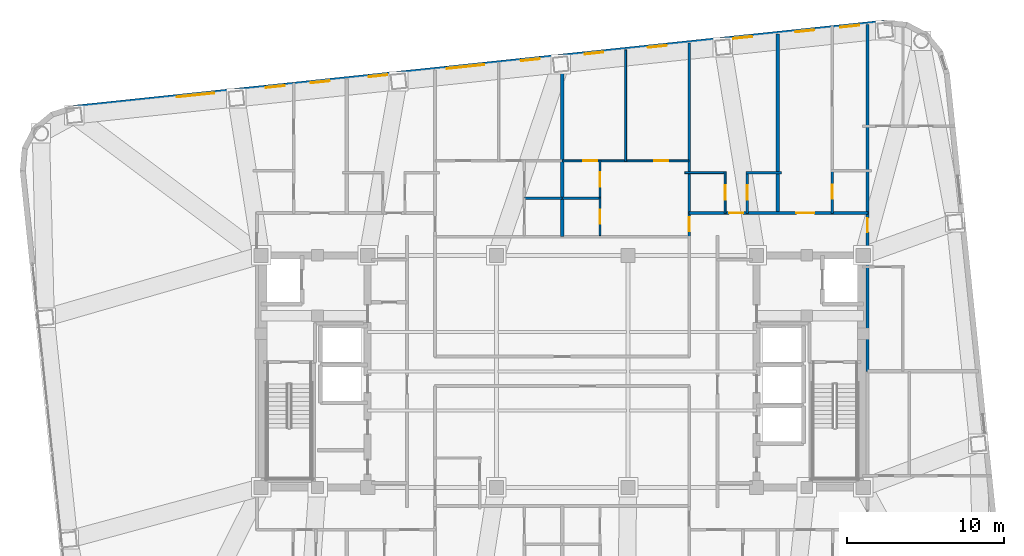
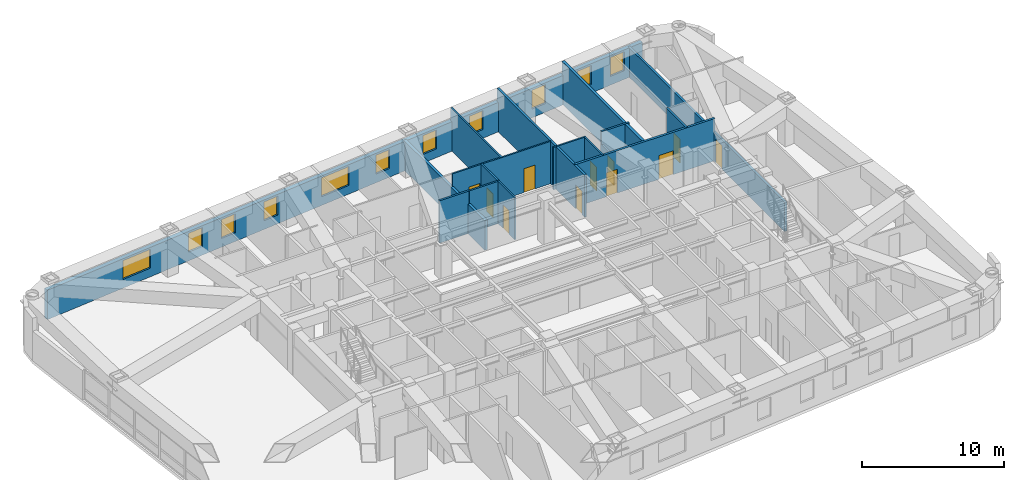
# One storey, part 11 of 14: 17 walls, 11 doors, 11 windows, 22 openings.
"""IFC4 building model written with IfcOpenShell, lengths in metres."""

from ifc_helpers import new_model, si_unit, direction, frame, frame_2d, origin, place, context, subcontext, project, spatial, rectangle, extrude, material, layer, layer_set, type_object, element, fill, save


model = new_model("IFC4")

# Units and contexts
model_context = context("Model", 3, precision=1e-05, world=origin(), true_north=direction((0.0, 1.0)))
body_context = subcontext(model_context, "Body", "Model", "MODEL_VIEW")
ifc_project = project(units=[si_unit("LENGTHUNIT", "METRE"), si_unit("AREAUNIT", "SQUARE_METRE"), si_unit("VOLUMEUNIT", "CUBIC_METRE"), si_unit("PLANEANGLEUNIT", "RADIAN"), si_unit("MASSUNIT", "GRAM", prefix="KILO")], contexts=[model_context])

# Site, building, storey
site_placement = place(None, origin())
site = spatial("IfcSite", under=ifc_project, at=site_placement, CompositionType="ELEMENT")
building_placement = place(site_placement, origin())
building = spatial("IfcBuilding", under=site, at=building_placement, Name="Voryun Gate Residences", CompositionType="ELEMENT")
storey_placement = place(building_placement, frame((0.0, 0.0, 144.300048828125)))
storey = spatial("IfcBuildingStorey", under=building, at=storey_placement, Name="L35", CompositionType="ELEMENT", Elevation=144.300048828125)

# Wall, openings, doors
ifc_material_1 = material(Name="Gypsum acoustic fireboard")
ifc_layer_1 = layer(ifc_material_1, 0.179931640625, Name="W_CORR_RATED_180")
ifc_layer_set_1 = layer_set([ifc_layer_1], Name="Gypsum acoustic fireboard")
wall_type_1 = type_object("IfcWallType", Name="W_CORR_RATED_180", PredefinedType="PARTITIONING", material=ifc_layer_set_1)
wall_1_placement = place(storey_placement, frame((8.080078125, 10.10009765625, 0.0), z_axis=(0.0, 0.0, 1.0), x_axis=(1.0, 0.0, 0.0)))
wall_1 = element("IfcWall", 1, at=wall_1_placement, inside=storey, type_object=wall_type_1, Name="Partition wall WP-L35-NCORR-E", PredefinedType="PARTITIONING", context=body_context, shape_type="SweptSolid", body=[
    extrude(rectangle(XDim=11.419921875, YDim=0.179931640625, at=frame_2d((5.7099609375, 0.0))), origin(), (0.0, 0.0, 1.0), 3.64990234375),
])
opening_1_placement = place(wall_1_placement, frame((2.5625, 0.0, 0.0)))
opening_1 = element("IfcOpeningElement", 2, at=opening_1_placement, cuts=wall_1, Name="Opening D-INT-2", PredefinedType="OPENING", context=body_context, shape_type="SweptSolid", body=[
    extrude(rectangle(XDim=0.89990234375, YDim=2.050048828125, at=frame_2d((0.449951171875, 1.02490234375))), frame((0.0, 0.099853515625, 0.0), z_axis=(0.0, -1.0, 0.0), x_axis=(1.0, 0.0, 0.0)), (0.0, 0.0, 1.0), 0.199951171875),
])
opening_2_placement = place(wall_1_placement, frame((6.8525390625, 0.0, 0.0)))
opening_2 = element("IfcOpeningElement", 3, at=opening_2_placement, cuts=wall_1, Name="Opening D-UNIT-1", PredefinedType="OPENING", context=body_context, shape_type="SweptSolid", body=[
    extrude(rectangle(XDim=1.14990234375, YDim=2.050048828125, at=frame_2d((0.574951171875, 1.02490234375))), frame((0.0, 0.099853515625, 0.0), z_axis=(0.0, -1.0, 0.0), x_axis=(1.0, 0.0, 0.0)), (0.0, 0.0, 1.0), 0.199951171875),
])
ifc_material_2 = material(Name="Architectural oak veneer")
door_type_1 = type_object("IfcDoorType", Name="DR_INT_BATH_900", OperationType="NOTDEFINED", PredefinedType="DOOR", material=ifc_material_2)
door_1_placement = place(opening_1_placement, origin())
door_1 = element("IfcDoor", 4, at=door_1_placement, inside=storey, type_object=door_type_1, Name="Door DR-L35-NENT-4", OperationType="SINGLE_SWING_RIGHT", OverallHeight=2.050048828125, OverallWidth=0.89990234375, PredefinedType="DOOR", context=body_context, shape_type="SweptSolid", body=[
    extrude(rectangle(XDim=0.89990234375, YDim=2.050048828125, at=frame_2d((0.449951171875, 1.02490234375))), frame((0.0, 0.02490234375, 0.0), z_axis=(0.0, -1.0, 0.0), x_axis=(1.0, 0.0, 0.0)), (0.0, 0.0, 1.0), 0.050048828125),
])
fill(opening_1, door_1)
ifc_material_3 = material(Name="Armoured timber-clad fire door", Category="wood")
door_type_2 = type_object("IfcDoorType", Name="DR_UNIT_ENTRY_1150", OperationType="NOTDEFINED", PredefinedType="DOOR", material=ifc_material_3)
door_2_placement = place(opening_2_placement, origin())
door_2 = element("IfcDoor", 5, at=door_2_placement, inside=storey, type_object=door_type_2, Name="Door DR-L35-NENT-5", OperationType="SINGLE_SWING_LEFT", OverallHeight=2.050048828125, OverallWidth=1.14990234375, PredefinedType="DOOR", context=body_context, shape_type="SweptSolid", body=[
    extrude(rectangle(XDim=1.14990234375, YDim=2.050048828125, at=frame_2d((0.574951171875, 1.02490234375))), frame((0.0, 0.02490234375, 0.0), z_axis=(0.0, -1.0, 0.0), x_axis=(1.0, 0.0, 0.0)), (0.0, 0.0, 1.0), 0.050048828125),
])
fill(opening_2, door_2)

# Wall, opening, door
wall_2_placement = place(storey_placement, frame((8.10009765625, 8.590087890625, 0.0), z_axis=(0.0, 0.0, 1.0), x_axis=(0.0, 1.0, 0.0)))
wall_2 = element("IfcWall", 6, at=wall_2_placement, inside=storey, type_object=wall_type_1, Name="Partition wall WP-L35-NZV-2", PredefinedType="PARTITIONING", context=body_context, shape_type="SweptSolid", body=[
    extrude(rectangle(XDim=12.339111328125, YDim=0.179931640625, at=frame_2d((6.16943359375, 0.0))), origin(), (0.0, 0.0, 1.0), 3.64990234375),
])
opening_3_placement = place(wall_2_placement, frame((0.349609375, 0.0, 0.0)))
opening_3 = element("IfcOpeningElement", 7, at=opening_3_placement, cuts=wall_2, Name="Opening D-INT-2", PredefinedType="OPENING", context=body_context, shape_type="SweptSolid", body=[
    extrude(rectangle(XDim=0.89990234375, YDim=2.050048828125, at=frame_2d((0.449951171875, 1.02490234375))), frame((0.0, 0.099853515625, 0.0), z_axis=(0.0, -1.0, 0.0), x_axis=(1.0, 0.0, 0.0)), (0.0, 0.0, 1.0), 0.199951171875),
])
door_3_placement = place(opening_3_placement, origin())
door_3 = element("IfcDoor", 8, at=door_3_placement, inside=storey, type_object=door_type_1, Name="Door DR-L35-NZENT-2", OperationType="SINGLE_SWING_RIGHT", OverallHeight=2.050048828125, OverallWidth=0.89990234375, PredefinedType="DOOR", context=body_context, shape_type="SweptSolid", body=[
    extrude(rectangle(XDim=0.89990234375, YDim=2.050048828125, at=frame_2d((0.449951171875, 1.02490234375))), frame((0.0, 0.02490234375, 0.0), z_axis=(0.0, -1.0, 0.0), x_axis=(1.0, 0.0, 0.0)), (0.0, 0.0, 1.0), 0.050048828125),
])
fill(opening_3, door_3)

wall_3_placement = place(storey_placement, frame((19.469970703125, 0.0, 0.0), z_axis=(0.0, 0.0, 1.0), x_axis=(0.0, 1.0, 0.0)))
wall_3 = element("IfcWall", 9, at=wall_3_placement, inside=storey, type_object=wall_type_1, Name="Partition wall WP-L35-ECOR2", PredefinedType="PARTITIONING", context=body_context, shape_type="SweptSolid", body=[
    extrude(rectangle(XDim=22.1240234375, YDim=0.179931640625, at=frame_2d((11.06201171875, 0.0))), origin(), (0.0, 0.0, 1.0), 2.5400390625),
])
opening_4_placement = place(wall_3_placement, frame((8.879638671875, 0.0, 0.0)))
opening_4 = element("IfcOpeningElement", 10, at=opening_4_placement, cuts=wall_3, Name="Opening D-INT-2", PredefinedType="OPENING", context=body_context, shape_type="SweptSolid", body=[
    extrude(rectangle(XDim=0.89990234375, YDim=2.050048828125, at=frame_2d((0.449951171875, 1.02490234375))), frame((0.0, 0.099853515625, 0.0), z_axis=(0.0, -1.0, 0.0), x_axis=(1.0, 0.0, 0.0)), (0.0, 0.0, 1.0), 0.199951171875),
])
door_4_placement = place(opening_4_placement, origin())
door_4 = element("IfcDoor", 11, at=door_4_placement, inside=storey, type_object=door_type_1, Name="Door DR-L35-EE2", OperationType="SINGLE_SWING_RIGHT", OverallHeight=2.050048828125, OverallWidth=0.89990234375, PredefinedType="DOOR", context=body_context, shape_type="SweptSolid", body=[
    extrude(rectangle(XDim=0.89990234375, YDim=2.050048828125, at=frame_2d((0.449951171875, 1.02490234375))), frame((0.0, 0.02490234375, 0.0), z_axis=(0.0, -1.0, 0.0), x_axis=(1.0, 0.0, 0.0)), (0.0, 0.0, 1.0), 0.050048828125),
])
fill(opening_4, door_4)

# Wall, openings, windows
ifc_material_4 = material(Name="Charcoal terracotta masonry", Category="masonry")
ifc_layer_2 = layer(ifc_material_4, 0.340087890625, Name="W_EXT_TERRACOTTA_340")
ifc_layer_set_2 = layer_set([ifc_layer_2], Name="Charcoal terracotta masonry")
wall_type_2 = type_object("IfcWallType", Name="W_EXT_TERRACOTTA_340", PredefinedType="ELEMENTEDWALL", material=ifc_layer_set_2)
wall_4_placement = place(storey_placement, frame((-31.155517578125, 16.80322265625, 0.0), z_axis=(0.0, 0.0, 1.0), x_axis=(0.99452209583, 0.104526555986, 0.0)))
wall_4 = element("IfcWall", 12, at=wall_4_placement, inside=storey, type_object=wall_type_2, Name="Exterior wall WEXT-L35-11", PredefinedType="ELEMENTEDWALL", context=body_context, shape_type="SweptSolid", body=[
    extrude(rectangle(XDim=51.966552734375, YDim=0.340087890625, at=frame_2d((25.9833984375, 0.0))), origin(), (0.0, 0.0, 1.0), 2.5400390625),
])
opening_5_placement = place(wall_4_placement, frame((6.611083984375, 0.0, 0.75)))
opening_5 = element("IfcOpeningElement", 13, at=opening_5_placement, cuts=wall_4, Name="Opening WN2", PredefinedType="OPENING", context=body_context, shape_type="SweptSolid", body=[
    extrude(rectangle(XDim=2.39990234375, YDim=1.6298828125, at=frame_2d((1.199951171875, 0.81494140625))), frame((0.0, 0.179931640625, 0.0), z_axis=(0.0, -1.0, 0.0), x_axis=(1.0, 0.0, 0.0)), (0.0, 0.0, 1.0), 0.360107421875),
])
opening_6_placement = place(wall_4_placement, frame((23.93310546875, 0.0, 0.75)))
opening_6 = element("IfcOpeningElement", 14, at=opening_6_placement, cuts=wall_4, Name="Opening WN2", PredefinedType="OPENING", context=body_context, shape_type="SweptSolid", body=[
    extrude(rectangle(XDim=2.39990234375, YDim=1.6298828125, at=frame_2d((1.199951171875, 0.81494140625))), frame((0.0, 0.179931640625, 0.0), z_axis=(0.0, -1.0, 0.0), x_axis=(1.0, 0.0, 0.0)), (0.0, 0.0, 1.0), 0.360107421875),
])
opening_7_placement = place(wall_4_placement, frame((15.209228515625, 0.0, 0.75)))
opening_7 = element("IfcOpeningElement", 15, at=opening_7_placement, cuts=wall_4, Name="Opening WN6", PredefinedType="OPENING", context=body_context, shape_type="SweptSolid", body=[
    extrude(rectangle(XDim=1.199951171875, YDim=1.6298828125, at=frame_2d((0.60009765625, 0.81494140625))), frame((0.0, 0.179931640625, 0.0), z_axis=(0.0, -1.0, 0.0), x_axis=(1.0, 0.0, 0.0)), (0.0, 0.0, 1.0), 0.360107421875),
])
opening_8_placement = place(wall_4_placement, frame((12.33349609375, 0.0, 0.75)))
opening_8 = element("IfcOpeningElement", 16, at=opening_8_placement, cuts=wall_4, Name="Opening WN6", PredefinedType="OPENING", context=body_context, shape_type="SweptSolid", body=[
    extrude(rectangle(XDim=1.199951171875, YDim=1.6298828125, at=frame_2d((0.60009765625, 0.81494140625))), frame((0.0, 0.179931640625, 0.0), z_axis=(0.0, -1.0, 0.0), x_axis=(1.0, 0.0, 0.0)), (0.0, 0.0, 1.0), 0.360107421875),
])
opening_9_placement = place(wall_4_placement, frame((18.914794921875, 0.0, 0.75)))
opening_9 = element("IfcOpeningElement", 17, at=opening_9_placement, cuts=wall_4, Name="Opening WN6", PredefinedType="OPENING", context=body_context, shape_type="SweptSolid", body=[
    extrude(rectangle(XDim=1.199951171875, YDim=1.6298828125, at=frame_2d((0.60009765625, 0.81494140625))), frame((0.0, 0.179931640625, 0.0), z_axis=(0.0, -1.0, 0.0), x_axis=(1.0, 0.0, 0.0)), (0.0, 0.0, 1.0), 0.360107421875),
])
opening_10_placement = place(wall_4_placement, frame((42.294921875, 0.0, 0.75)))
opening_10 = element("IfcOpeningElement", 18, at=opening_10_placement, cuts=wall_4, Name="Opening WN6", PredefinedType="OPENING", context=body_context, shape_type="SweptSolid", body=[
    extrude(rectangle(XDim=1.199951171875, YDim=1.6298828125, at=frame_2d((0.60009765625, 0.81494140625))), frame((0.0, 0.179931640625, 0.0), z_axis=(0.0, -1.0, 0.0), x_axis=(1.0, 0.0, 0.0)), (0.0, 0.0, 1.0), 0.360107421875),
])
opening_11_placement = place(wall_4_placement, frame((46.2880859375, 0.0, 0.75)))
opening_11 = element("IfcOpeningElement", 19, at=opening_11_placement, cuts=wall_4, Name="Opening WN6", PredefinedType="OPENING", context=body_context, shape_type="SweptSolid", body=[
    extrude(rectangle(XDim=1.199951171875, YDim=1.6298828125, at=frame_2d((0.60009765625, 0.81494140625))), frame((0.0, 0.179931640625, 0.0), z_axis=(0.0, -1.0, 0.0), x_axis=(1.0, 0.0, 0.0)), (0.0, 0.0, 1.0), 0.360107421875),
])
opening_12_placement = place(wall_4_placement, frame((49.163818359375, 0.0, 0.75)))
opening_12 = element("IfcOpeningElement", 20, at=opening_12_placement, cuts=wall_4, Name="Opening WN6", PredefinedType="OPENING", context=body_context, shape_type="SweptSolid", body=[
    extrude(rectangle(XDim=1.199951171875, YDim=1.6298828125, at=frame_2d((0.60009765625, 0.81494140625))), frame((0.0, 0.179931640625, 0.0), z_axis=(0.0, -1.0, 0.0), x_axis=(1.0, 0.0, 0.0)), (0.0, 0.0, 1.0), 0.360107421875),
])
opening_13_placement = place(wall_4_placement, frame((28.68359375, 0.0, 0.75)))
opening_13 = element("IfcOpeningElement", 21, at=opening_13_placement, cuts=wall_4, Name="Opening WN6", PredefinedType="OPENING", context=body_context, shape_type="SweptSolid", body=[
    extrude(rectangle(XDim=1.199951171875, YDim=1.6298828125, at=frame_2d((0.60009765625, 0.81494140625))), frame((0.0, 0.179931640625, 0.0), z_axis=(0.0, -1.0, 0.0), x_axis=(1.0, 0.0, 0.0)), (0.0, 0.0, 1.0), 0.360107421875),
])
opening_14_placement = place(wall_4_placement, frame((32.76611328125, 0.0, 0.75)))
opening_14 = element("IfcOpeningElement", 22, at=opening_14_placement, cuts=wall_4, Name="Opening WN6", PredefinedType="OPENING", context=body_context, shape_type="SweptSolid", body=[
    extrude(rectangle(XDim=1.199951171875, YDim=1.6298828125, at=frame_2d((0.60009765625, 0.81494140625))), frame((0.0, 0.179931640625, 0.0), z_axis=(0.0, -1.0, 0.0), x_axis=(1.0, 0.0, 0.0)), (0.0, 0.0, 1.0), 0.360107421875),
])
opening_15_placement = place(wall_4_placement, frame((36.828369140625, 0.0, 0.75)))
opening_15 = element("IfcOpeningElement", 23, at=opening_15_placement, cuts=wall_4, Name="Opening WN6", PredefinedType="OPENING", context=body_context, shape_type="SweptSolid", body=[
    extrude(rectangle(XDim=1.199951171875, YDim=1.6298828125, at=frame_2d((0.60009765625, 0.81494140625))), frame((0.0, 0.179931640625, 0.0), z_axis=(0.0, -1.0, 0.0), x_axis=(1.0, 0.0, 0.0)), (0.0, 0.0, 1.0), 0.360107421875),
])
ifc_material_5 = material(Name="Laminated low-E glass", Category="glass")
window_type_1 = type_object("IfcWindowType", Name="WN_POD_SLOT_1200", PartitioningType="SINGLE_PANEL", PredefinedType="WINDOW", material=ifc_material_5)
window_1_placement = place(opening_7_placement, origin())
window_1 = element("IfcWindow", 24, at=window_1_placement, inside=storey, type_object=window_type_1, Name="Window WN-L35-DWFIX-01", OverallHeight=1.6298828125, OverallWidth=1.199951171875, PartitioningType="SINGLE_PANEL", PredefinedType="WINDOW", context=body_context, shape_type="SweptSolid", body=[
    extrude(rectangle(XDim=1.199951171875, YDim=1.6298828125, at=frame_2d((0.60009765625, 0.81494140625))), frame((0.0, 0.030029296875, 0.0), z_axis=(0.0, -1.0, 0.0), x_axis=(1.0, 0.0, 0.0)), (0.0, 0.0, 1.0), 0.06005859375),
])
fill(opening_7, window_1)
window_2_placement = place(opening_8_placement, origin())
window_2 = element("IfcWindow", 25, at=window_2_placement, inside=storey, type_object=window_type_1, Name="Window WN-L35-DWFIX-02", OverallHeight=1.6298828125, OverallWidth=1.199951171875, PartitioningType="SINGLE_PANEL", PredefinedType="WINDOW", context=body_context, shape_type="SweptSolid", body=[
    extrude(rectangle(XDim=1.199951171875, YDim=1.6298828125, at=frame_2d((0.60009765625, 0.81494140625))), frame((0.0, 0.030029296875, 0.0), z_axis=(0.0, -1.0, 0.0), x_axis=(1.0, 0.0, 0.0)), (0.0, 0.0, 1.0), 0.06005859375),
])
fill(opening_8, window_2)
window_3_placement = place(opening_9_placement, origin())
window_3 = element("IfcWindow", 26, at=window_3_placement, inside=storey, type_object=window_type_1, Name="Window WN-L35-DWFIX-03", OverallHeight=1.6298828125, OverallWidth=1.199951171875, PartitioningType="SINGLE_PANEL", PredefinedType="WINDOW", context=body_context, shape_type="SweptSolid", body=[
    extrude(rectangle(XDim=1.199951171875, YDim=1.6298828125, at=frame_2d((0.60009765625, 0.81494140625))), frame((0.0, 0.030029296875, 0.0), z_axis=(0.0, -1.0, 0.0), x_axis=(1.0, 0.0, 0.0)), (0.0, 0.0, 1.0), 0.06005859375),
])
fill(opening_9, window_3)
window_4_placement = place(opening_10_placement, origin())
window_4 = element("IfcWindow", 27, at=window_4_placement, inside=storey, type_object=window_type_1, Name="Window WN-L35-DWFIX-04", OverallHeight=1.6298828125, OverallWidth=1.199951171875, PartitioningType="SINGLE_PANEL", PredefinedType="WINDOW", context=body_context, shape_type="SweptSolid", body=[
    extrude(rectangle(XDim=1.199951171875, YDim=1.6298828125, at=frame_2d((0.60009765625, 0.81494140625))), frame((0.0, 0.030029296875, 0.0), z_axis=(0.0, -1.0, 0.0), x_axis=(1.0, 0.0, 0.0)), (0.0, 0.0, 1.0), 0.06005859375),
])
fill(opening_10, window_4)
window_5_placement = place(opening_11_placement, origin())
window_5 = element("IfcWindow", 28, at=window_5_placement, inside=storey, type_object=window_type_1, Name="Window WN-L35-DWFIX-05", OverallHeight=1.6298828125, OverallWidth=1.199951171875, PartitioningType="SINGLE_PANEL", PredefinedType="WINDOW", context=body_context, shape_type="SweptSolid", body=[
    extrude(rectangle(XDim=1.199951171875, YDim=1.6298828125, at=frame_2d((0.60009765625, 0.81494140625))), frame((0.0, 0.030029296875, 0.0), z_axis=(0.0, -1.0, 0.0), x_axis=(1.0, 0.0, 0.0)), (0.0, 0.0, 1.0), 0.06005859375),
])
fill(opening_11, window_5)
window_6_placement = place(opening_12_placement, origin())
window_6 = element("IfcWindow", 29, at=window_6_placement, inside=storey, type_object=window_type_1, Name="Window WN-L35-DWFIX-06", OverallHeight=1.6298828125, OverallWidth=1.199951171875, PartitioningType="SINGLE_PANEL", PredefinedType="WINDOW", context=body_context, shape_type="SweptSolid", body=[
    extrude(rectangle(XDim=1.199951171875, YDim=1.6298828125, at=frame_2d((0.60009765625, 0.81494140625))), frame((0.0, 0.030029296875, 0.0), z_axis=(0.0, -1.0, 0.0), x_axis=(1.0, 0.0, 0.0)), (0.0, 0.0, 1.0), 0.06005859375),
])
fill(opening_12, window_6)
window_7_placement = place(opening_13_placement, origin())
window_7 = element("IfcWindow", 30, at=window_7_placement, inside=storey, type_object=window_type_1, Name="Window WN-L35-DWFIX-07", OverallHeight=1.6298828125, OverallWidth=1.199951171875, PartitioningType="SINGLE_PANEL", PredefinedType="WINDOW", context=body_context, shape_type="SweptSolid", body=[
    extrude(rectangle(XDim=1.199951171875, YDim=1.6298828125, at=frame_2d((0.60009765625, 0.81494140625))), frame((0.0, 0.030029296875, 0.0), z_axis=(0.0, -1.0, 0.0), x_axis=(1.0, 0.0, 0.0)), (0.0, 0.0, 1.0), 0.06005859375),
])
fill(opening_13, window_7)
window_8_placement = place(opening_14_placement, origin())
window_8 = element("IfcWindow", 31, at=window_8_placement, inside=storey, type_object=window_type_1, Name="Window WN-L35-DWFIX-08", OverallHeight=1.6298828125, OverallWidth=1.199951171875, PartitioningType="SINGLE_PANEL", PredefinedType="WINDOW", context=body_context, shape_type="SweptSolid", body=[
    extrude(rectangle(XDim=1.199951171875, YDim=1.6298828125, at=frame_2d((0.60009765625, 0.81494140625))), frame((0.0, 0.030029296875, 0.0), z_axis=(0.0, -1.0, 0.0), x_axis=(1.0, 0.0, 0.0)), (0.0, 0.0, 1.0), 0.06005859375),
])
fill(opening_14, window_8)
window_9_placement = place(opening_15_placement, origin())
window_9 = element("IfcWindow", 32, at=window_9_placement, inside=storey, type_object=window_type_1, Name="Window WN-L35-DWFIX-09", OverallHeight=1.6298828125, OverallWidth=1.199951171875, PartitioningType="SINGLE_PANEL", PredefinedType="WINDOW", context=body_context, shape_type="SweptSolid", body=[
    extrude(rectangle(XDim=1.199951171875, YDim=1.6298828125, at=frame_2d((0.60009765625, 0.81494140625))), frame((0.0, 0.030029296875, 0.0), z_axis=(0.0, -1.0, 0.0), x_axis=(1.0, 0.0, 0.0)), (0.0, 0.0, 1.0), 0.06005859375),
])
fill(opening_15, window_9)
ifc_material_6 = material(Name="Laminated low-E glass", Category="glass")
window_type_2 = type_object("IfcWindowType", Name="WN_RES_WIDE_2400", PartitioningType="SINGLE_PANEL", PredefinedType="WINDOW", material=ifc_material_6)
window_10_placement = place(opening_5_placement, origin())
window_10 = element("IfcWindow", 33, at=window_10_placement, inside=storey, type_object=window_type_2, Name="Window WN-WEXT-L35-11-01", OverallHeight=1.6298828125, OverallWidth=2.39990234375, PartitioningType="SINGLE_PANEL", PredefinedType="WINDOW", context=body_context, shape_type="SweptSolid", body=[
    extrude(rectangle(XDim=2.39990234375, YDim=1.6298828125, at=frame_2d((1.199951171875, 0.81494140625))), frame((0.0, 0.030029296875, 0.0), z_axis=(0.0, -1.0, 0.0), x_axis=(1.0, 0.0, 0.0)), (0.0, 0.0, 1.0), 0.06005859375),
])
fill(opening_5, window_10)
window_11_placement = place(opening_6_placement, origin())
window_11 = element("IfcWindow", 34, at=window_11_placement, inside=storey, type_object=window_type_2, Name="Window WN-WEXT-L35-11-02", OverallHeight=1.6298828125, OverallWidth=2.39990234375, PartitioningType="SINGLE_PANEL", PredefinedType="WINDOW", context=body_context, shape_type="SweptSolid", body=[
    extrude(rectangle(XDim=2.39990234375, YDim=1.6298828125, at=frame_2d((1.199951171875, 0.81494140625))), frame((0.0, 0.030029296875, 0.0), z_axis=(0.0, -1.0, 0.0), x_axis=(1.0, 0.0, 0.0)), (0.0, 0.0, 1.0), 0.06005859375),
])
fill(opening_6, window_11)

# Walls
ifc_material_7 = material(Name="Concrete C40/50", Category="concrete")
ifc_layer_3 = layer(ifc_material_7, 0.219970703125, Name="W_PARTY_ACOUSTIC_220")
ifc_layer_set_3 = layer_set([ifc_layer_3], Name="Concrete C40/50")
wall_type_3 = type_object("IfcWallType", Name="W_PARTY_ACOUSTIC_220", PredefinedType="PARTITIONING", material=ifc_layer_set_3)
wall_5_placement = place(storey_placement, frame((13.739990234375, 10.02001953125, 0.0), z_axis=(0.0, 0.0, 1.0), x_axis=(0.0, 1.0, 0.0)))
element("IfcWall", 35, at=wall_5_placement, inside=storey, type_object=wall_type_3, Name="Partition wall WP-L35-NPTY-4", PredefinedType="PARTITIONING", context=body_context, shape_type="SweptSolid", body=[
    extrude(rectangle(XDim=11.501953125, YDim=0.219970703125, at=frame_2d((5.7509765625, 0.0))), origin(), (0.0, 0.0, 1.0), 3.64990234375),
])
wall_6_placement = place(storey_placement, frame((0.0, 8.590087890625, 0.0), z_axis=(0.0, 0.0, 1.0), x_axis=(0.0, 1.0, 0.0)))
element("IfcWall", 36, at=wall_6_placement, inside=storey, type_object=wall_type_3, Name="Partition wall WP-L35-NZMID", PredefinedType="PARTITIONING", context=body_context, shape_type="SweptSolid", body=[
    extrude(rectangle(XDim=11.48779296875, YDim=0.219970703125, at=frame_2d((5.743896484375, 0.0))), origin(), (0.0, 0.0, 1.0), 2.5400390625),
])

# Wall, opening, door
ifc_material_8 = material(Name="Gypsum acoustic partition")
ifc_layer_4 = layer(ifc_material_8, 0.125, Name="W_UNIT_PART_125")
ifc_layer_set_4 = layer_set([ifc_layer_4], Name="Gypsum acoustic partition")
wall_type_4 = type_object("IfcWallType", Name="W_UNIT_PART_125", PredefinedType="PARTITIONING", material=ifc_layer_set_4)
wall_7_placement = place(storey_placement, frame((10.389892578125, 10.080078125, 0.0), z_axis=(0.0, 0.0, 1.0), x_axis=(0.0, 1.0, 0.0)))
wall_7 = element("IfcWall", 37, at=wall_7_placement, inside=storey, type_object=wall_type_4, Name="Partition wall WP-L35-N4-CVK", PredefinedType="PARTITIONING", context=body_context, shape_type="SweptSolid", body=[
    extrude(rectangle(XDim=2.64990234375, YDim=0.125, at=frame_2d((1.324951171875, 0.0))), origin(), (0.0, 0.0, 1.0), 3.64990234375),
])
opening_16_placement = place(wall_7_placement, frame((0.875, 0.0, 0.0)))
opening_16 = element("IfcOpeningElement", 38, at=opening_16_placement, cuts=wall_7, Name="Opening D-INT-2", PredefinedType="OPENING", context=body_context, shape_type="SweptSolid", body=[
    extrude(rectangle(XDim=0.89990234375, YDim=2.050048828125, at=frame_2d((0.449951171875, 1.02490234375))), frame((0.0, 0.072509765625, 0.0), z_axis=(0.0, -1.0, 0.0), x_axis=(1.0, 0.0, 0.0)), (0.0, 0.0, 1.0), 0.14501953125),
])
door_5_placement = place(opening_16_placement, origin())
door_5 = element("IfcDoor", 39, at=door_5_placement, inside=storey, type_object=door_type_1, Name="Door DR-L35-N4-DK", OperationType="SINGLE_SWING_LEFT", OverallHeight=2.050048828125, OverallWidth=0.89990234375, PredefinedType="DOOR", context=body_context, shape_type="SweptSolid", body=[
    extrude(rectangle(XDim=0.89990234375, YDim=2.050048828125, at=frame_2d((0.449951171875, 1.02490234375))), frame((0.0, 0.02490234375, 0.0), z_axis=(0.0, -1.0, 0.0), x_axis=(1.0, 0.0, 0.0)), (0.0, 0.0, 1.0), 0.050048828125),
])
fill(opening_16, door_5)

# Wall
wall_8_placement = place(storey_placement, frame((7.820068359375, 12.669921875, 0.0), z_axis=(0.0, 0.0, 1.0), x_axis=(1.0, 0.0, 0.0)))
element("IfcWall", 40, at=wall_8_placement, inside=storey, type_object=wall_type_4, Name="Partition wall WP-L35-N4-CHK", PredefinedType="PARTITIONING", context=body_context, shape_type="SweptSolid", body=[
    extrude(rectangle(XDim=2.6298828125, YDim=0.125, at=frame_2d((1.31494140625, 0.0))), origin(), (0.0, 0.0, 1.0), 3.64990234375),
])

# Wall, openings, doors
wall_9_placement = place(storey_placement, frame((0.02001953125, 13.429931640625, 0.0), z_axis=(0.0, 0.0, 1.0), x_axis=(1.0, 0.0, 0.0)))
wall_9 = element("IfcWall", 41, at=wall_9_placement, inside=storey, type_object=wall_type_4, Name="Partition wall WP-L35-NC2-HZ", PredefinedType="PARTITIONING", context=body_context, shape_type="SweptSolid", body=[
    extrude(rectangle(XDim=8.06005859375, YDim=0.125, at=frame_2d((4.030029296875, 0.0))), origin(), (0.0, 0.0, 1.0), 3.64990234375),
])
opening_17_placement = place(wall_9_placement, frame((1.3232421875, 0.0, 0.0)))
opening_17 = element("IfcOpeningElement", 42, at=opening_17_placement, cuts=wall_9, Name="Opening D-INT-2", PredefinedType="OPENING", context=body_context, shape_type="SweptSolid", body=[
    extrude(rectangle(XDim=0.89990234375, YDim=2.050048828125, at=frame_2d((0.449951171875, 1.02490234375))), frame((0.0, 0.072509765625, 0.0), z_axis=(0.0, -1.0, 0.0), x_axis=(1.0, 0.0, 0.0)), (0.0, 0.0, 1.0), 0.14501953125),
])
opening_18_placement = place(wall_9_placement, frame((5.8369140625, 0.0, 0.0)))
opening_18 = element("IfcOpeningElement", 43, at=opening_18_placement, cuts=wall_9, Name="Opening D-INT-2", PredefinedType="OPENING", context=body_context, shape_type="SweptSolid", body=[
    extrude(rectangle(XDim=0.89990234375, YDim=2.050048828125, at=frame_2d((0.449951171875, 1.02490234375))), frame((0.0, 0.072509765625, 0.0), z_axis=(0.0, -1.0, 0.0), x_axis=(1.0, 0.0, 0.0)), (0.0, 0.0, 1.0), 0.14501953125),
])
door_6_placement = place(opening_17_placement, origin())
door_6 = element("IfcDoor", 44, at=door_6_placement, inside=storey, type_object=door_type_1, Name="Door DR-L35-NC2-DMB", OperationType="SINGLE_SWING_LEFT", OverallHeight=2.050048828125, OverallWidth=0.89990234375, PredefinedType="DOOR", context=body_context, shape_type="SweptSolid", body=[
    extrude(rectangle(XDim=0.89990234375, YDim=2.050048828125, at=frame_2d((0.449951171875, 1.02490234375))), frame((0.0, 0.02490234375, 0.0), z_axis=(0.0, -1.0, 0.0), x_axis=(1.0, 0.0, 0.0)), (0.0, 0.0, 1.0), 0.050048828125),
])
fill(opening_17, door_6)
door_7_placement = place(opening_18_placement, origin())
door_7 = element("IfcDoor", 45, at=door_7_placement, inside=storey, type_object=door_type_1, Name="Door DR-L35-NC2-DBD2", OperationType="SINGLE_SWING_RIGHT", OverallHeight=2.050048828125, OverallWidth=0.89990234375, PredefinedType="DOOR", context=body_context, shape_type="SweptSolid", body=[
    extrude(rectangle(XDim=0.89990234375, YDim=2.050048828125, at=frame_2d((0.449951171875, 1.02490234375))), frame((0.0, 0.02490234375, 0.0), z_axis=(0.0, -1.0, 0.0), x_axis=(1.0, 0.0, 0.0)), (0.0, 0.0, 1.0), 0.050048828125),
])
fill(opening_18, door_7)

# Wall, opening, door
wall_10_placement = place(storey_placement, frame((2.409912109375, 8.64990234375, 0.0), z_axis=(0.0, 0.0, 1.0), x_axis=(0.0, 1.0, 0.0)))
wall_10 = element("IfcWall", 46, at=wall_10_placement, inside=storey, type_object=wall_type_4, Name="Partition wall WP-L35-NC2-VK1", PredefinedType="PARTITIONING", context=body_context, shape_type="SweptSolid", body=[
    extrude(rectangle(XDim=2.41015625, YDim=0.125, at=frame_2d((1.205078125, 0.0))), origin(), (0.0, 0.0, 1.0), 3.64990234375),
])
opening_19_placement = place(wall_10_placement, frame((0.7548828125, 0.0, 0.0)))
opening_19 = element("IfcOpeningElement", 47, at=opening_19_placement, cuts=wall_10, Name="Opening D-INT-2", PredefinedType="OPENING", context=body_context, shape_type="SweptSolid", body=[
    extrude(rectangle(XDim=0.89990234375, YDim=2.050048828125, at=frame_2d((0.449951171875, 1.02490234375))), frame((0.0, 0.072509765625, 0.0), z_axis=(0.0, -1.0, 0.0), x_axis=(1.0, 0.0, 0.0)), (0.0, 0.0, 1.0), 0.14501953125),
])
door_8_placement = place(opening_19_placement, origin())
door_8 = element("IfcDoor", 48, at=door_8_placement, inside=storey, type_object=door_type_1, Name="Door DR-L35-NC2-DK", OperationType="SINGLE_SWING_LEFT", OverallHeight=2.050048828125, OverallWidth=0.89990234375, PredefinedType="DOOR", context=body_context, shape_type="SweptSolid", body=[
    extrude(rectangle(XDim=0.89990234375, YDim=2.050048828125, at=frame_2d((0.449951171875, 1.02490234375))), frame((0.0, 0.02490234375, 0.0), z_axis=(0.0, -1.0, 0.0), x_axis=(1.0, 0.0, 0.0)), (0.0, 0.0, 1.0), 0.050048828125),
])
fill(opening_19, door_8)

# Wall
wall_11_placement = place(storey_placement, frame((4.050048828125, 13.389892578125, 0.0), z_axis=(0.0, 0.0, 1.0), x_axis=(0.0, 1.0, 0.0)))
element("IfcWall", 49, at=wall_11_placement, inside=storey, type_object=wall_type_4, Name="Partition wall WP-L35-NC2-VBD", PredefinedType="PARTITIONING", context=body_context, shape_type="SweptSolid", body=[
    extrude(rectangle(XDim=7.113525390625, YDim=0.125, at=frame_2d((3.556640625, 0.0))), origin(), (0.0, 0.0, 1.0), 3.64990234375),
])

# Wall, opening, door
ifc_material_9 = material(Name="Gypsum moisture-resistant partition")
ifc_layer_5 = layer(ifc_material_9, 0.14990234375, Name="W_WET_PLUMB_150")
ifc_layer_set_5 = layer_set([ifc_layer_5], Name="Gypsum moisture-resistant partition")
wall_type_5 = type_object("IfcWallType", Name="W_WET_PLUMB_150", PredefinedType="PLUMBINGWALL", material=ifc_layer_set_5)
wall_12_placement = place(storey_placement, frame((11.7958984375, 10.080078125, 0.0), z_axis=(0.0, 0.0, 1.0), x_axis=(0.0, 1.0, 0.0)))
wall_12 = element("IfcWall", 50, at=wall_12_placement, inside=storey, type_object=wall_type_5, Name="Partition wall WP-L35-N4-CVB", PredefinedType="PLUMBINGWALL", context=body_context, shape_type="SweptSolid", body=[
    extrude(rectangle(XDim=2.64990234375, YDim=0.14990234375, at=frame_2d((1.324951171875, 0.0))), origin(), (0.0, 0.0, 1.0), 2.5400390625),
])
opening_20_placement = place(wall_12_placement, frame((0.875, 0.0, 0.0)))
opening_20 = element("IfcOpeningElement", 51, at=opening_20_placement, cuts=wall_12, Name="Opening D-INT-2", PredefinedType="OPENING", context=body_context, shape_type="SweptSolid", body=[
    extrude(rectangle(XDim=0.89990234375, YDim=2.050048828125, at=frame_2d((0.449951171875, 1.02490234375))), frame((0.0, 0.0849609375, 0.0), z_axis=(0.0, -1.0, 0.0), x_axis=(1.0, 0.0, 0.0)), (0.0, 0.0, 1.0), 0.169921875),
])
door_9_placement = place(opening_20_placement, origin())
door_9 = element("IfcDoor", 52, at=door_9_placement, inside=storey, type_object=door_type_1, Name="Door DR-L35-N4-DB", OperationType="SINGLE_SWING_RIGHT", OverallHeight=2.050048828125, OverallWidth=0.89990234375, PredefinedType="DOOR", context=body_context, shape_type="SweptSolid", body=[
    extrude(rectangle(XDim=0.89990234375, YDim=2.050048828125, at=frame_2d((0.449951171875, 1.02490234375))), frame((0.0, 0.02490234375, 0.0), z_axis=(0.0, -1.0, 0.0), x_axis=(1.0, 0.0, 0.0)), (0.0, 0.0, 1.0), 0.050048828125),
])
fill(opening_20, door_9)

# Wall
wall_13_placement = place(storey_placement, frame((11.736083984375, 12.669921875, 0.0), z_axis=(0.0, 0.0, 1.0), x_axis=(1.0, 0.0, 0.0)))
element("IfcWall", 53, at=wall_13_placement, inside=storey, type_object=wall_type_5, Name="Partition wall WP-L35-N4-CHB", PredefinedType="PLUMBINGWALL", context=body_context, shape_type="SweptSolid", body=[
    extrude(rectangle(XDim=2.263916015625, YDim=0.14990234375, at=frame_2d((1.1318359375, 0.0))), origin(), (0.0, 0.0, 1.0), 3.64990234375),
])

# Wall, opening, door
wall_14_placement = place(storey_placement, frame((17.216064453125, 10.080078125, 0.0), z_axis=(0.0, 0.0, 1.0), x_axis=(0.0, 1.0, 0.0)))
wall_14 = element("IfcWall", 54, at=wall_14_placement, inside=storey, type_object=wall_type_5, Name="Partition wall WP-L35-N5-SVT1", PredefinedType="PLUMBINGWALL", context=body_context, shape_type="SweptSolid", body=[
    extrude(rectangle(XDim=2.760009765625, YDim=0.14990234375, at=frame_2d((1.3798828125, 0.0))), origin(), (0.0, 0.0, 1.0), 3.64990234375),
])
opening_21_placement = place(wall_14_placement, frame((0.929931640625, 0.0, 0.0)))
opening_21 = element("IfcOpeningElement", 55, at=opening_21_placement, cuts=wall_14, Name="Opening D-INT-2", PredefinedType="OPENING", context=body_context, shape_type="SweptSolid", body=[
    extrude(rectangle(XDim=0.89990234375, YDim=2.050048828125, at=frame_2d((0.449951171875, 1.02490234375))), frame((0.0, 0.0849609375, 0.0), z_axis=(0.0, -1.0, 0.0), x_axis=(1.0, 0.0, 0.0)), (0.0, 0.0, 1.0), 0.169921875),
])
door_10_placement = place(opening_21_placement, origin())
door_10 = element("IfcDoor", 56, at=door_10_placement, inside=storey, type_object=door_type_1, Name="Door DR-L35-N5-DB", OperationType="SINGLE_SWING_LEFT", OverallHeight=2.050048828125, OverallWidth=0.89990234375, PredefinedType="DOOR", context=body_context, shape_type="SweptSolid", body=[
    extrude(rectangle(XDim=0.89990234375, YDim=2.050048828125, at=frame_2d((0.449951171875, 1.02490234375))), frame((0.0, 0.02490234375, 0.0), z_axis=(0.0, -1.0, 0.0), x_axis=(1.0, 0.0, 0.0)), (0.0, 0.0, 1.0), 0.050048828125),
])
fill(opening_21, door_10)

# Wall
wall_15_placement = place(storey_placement, frame((-2.449951171875, 11.030029296875, 0.0), z_axis=(0.0, 0.0, 1.0), x_axis=(1.0, 0.0, 0.0)))
element("IfcWall", 57, at=wall_15_placement, inside=storey, type_object=wall_type_5, Name="Partition wall WP-L35-NC1-HKB", PredefinedType="PLUMBINGWALL", context=body_context, shape_type="SweptSolid", body=[
    extrude(rectangle(XDim=2.429931640625, YDim=0.14990234375, at=frame_2d((1.21484375, 0.0))), origin(), (0.0, 0.0, 1.0), 3.64990234375),
])

# Wall, opening, door
wall_16_placement = place(storey_placement, frame((2.409912109375, 11.0, 0.0), z_axis=(0.0, 0.0, 1.0), x_axis=(0.0, 1.0, 0.0)))
wall_16 = element("IfcWall", 58, at=wall_16_placement, inside=storey, type_object=wall_type_5, Name="Partition wall WP-L35-NC2-VK2", PredefinedType="PLUMBINGWALL", context=body_context, shape_type="SweptSolid", body=[
    extrude(rectangle(XDim=2.469970703125, YDim=0.14990234375, at=frame_2d((1.23486328125, 0.0))), origin(), (0.0, 0.0, 1.0), 3.64990234375),
])
opening_22_placement = place(wall_16_placement, frame((0.784912109375, 0.0, 0.0)))
opening_22 = element("IfcOpeningElement", 59, at=opening_22_placement, cuts=wall_16, Name="Opening D-INT-2", PredefinedType="OPENING", context=body_context, shape_type="SweptSolid", body=[
    extrude(rectangle(XDim=0.89990234375, YDim=2.050048828125, at=frame_2d((0.449951171875, 1.02490234375))), frame((0.0, 0.0849609375, 0.0), z_axis=(0.0, -1.0, 0.0), x_axis=(1.0, 0.0, 0.0)), (0.0, 0.0, 1.0), 0.169921875),
])
door_11_placement = place(opening_22_placement, origin())
door_11 = element("IfcDoor", 60, at=door_11_placement, inside=storey, type_object=door_type_1, Name="Door DR-L35-NC2-DB", OperationType="SINGLE_SWING_RIGHT", OverallHeight=2.050048828125, OverallWidth=0.89990234375, PredefinedType="DOOR", context=body_context, shape_type="SweptSolid", body=[
    extrude(rectangle(XDim=0.89990234375, YDim=2.050048828125, at=frame_2d((0.449951171875, 1.02490234375))), frame((0.0, 0.02490234375, 0.0), z_axis=(0.0, -1.0, 0.0), x_axis=(1.0, 0.0, 0.0)), (0.0, 0.0, 1.0), 0.050048828125),
])
fill(opening_22, door_11)

# Wall
wall_17_placement = place(storey_placement, frame((0.02001953125, 11.030029296875, 0.0), z_axis=(0.0, 0.0, 1.0), x_axis=(1.0, 0.0, 0.0)))
element("IfcWall", 61, at=wall_17_placement, inside=storey, type_object=wall_type_5, Name="Partition wall WP-L35-NC2-HKB", PredefinedType="PLUMBINGWALL", context=body_context, shape_type="SweptSolid", body=[
    extrude(rectangle(XDim=2.429931640625, YDim=0.14990234375, at=frame_2d((1.21484375, 0.0))), origin(), (0.0, 0.0, 1.0), 3.64990234375),
])

save(model, "model.ifc")
